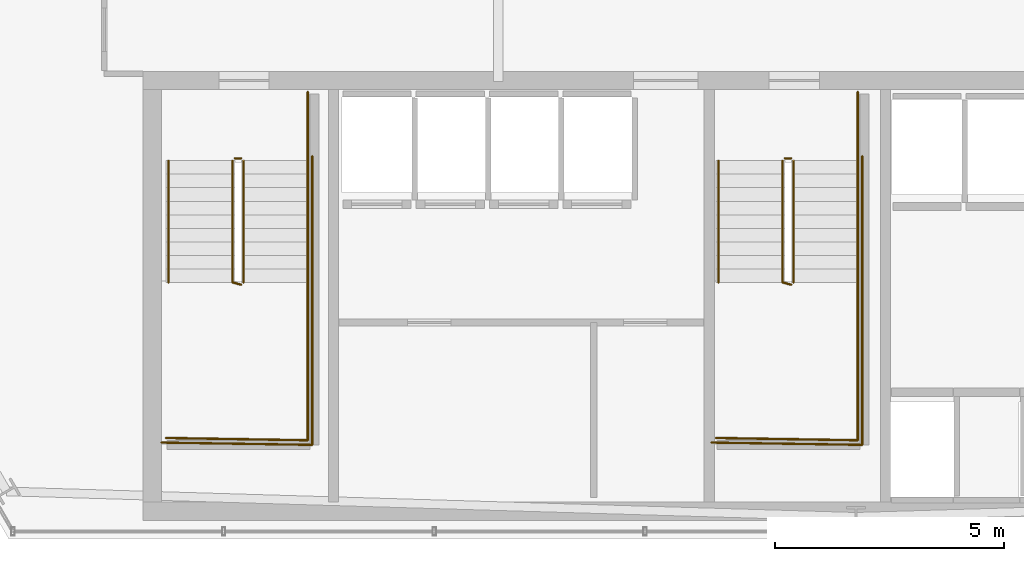
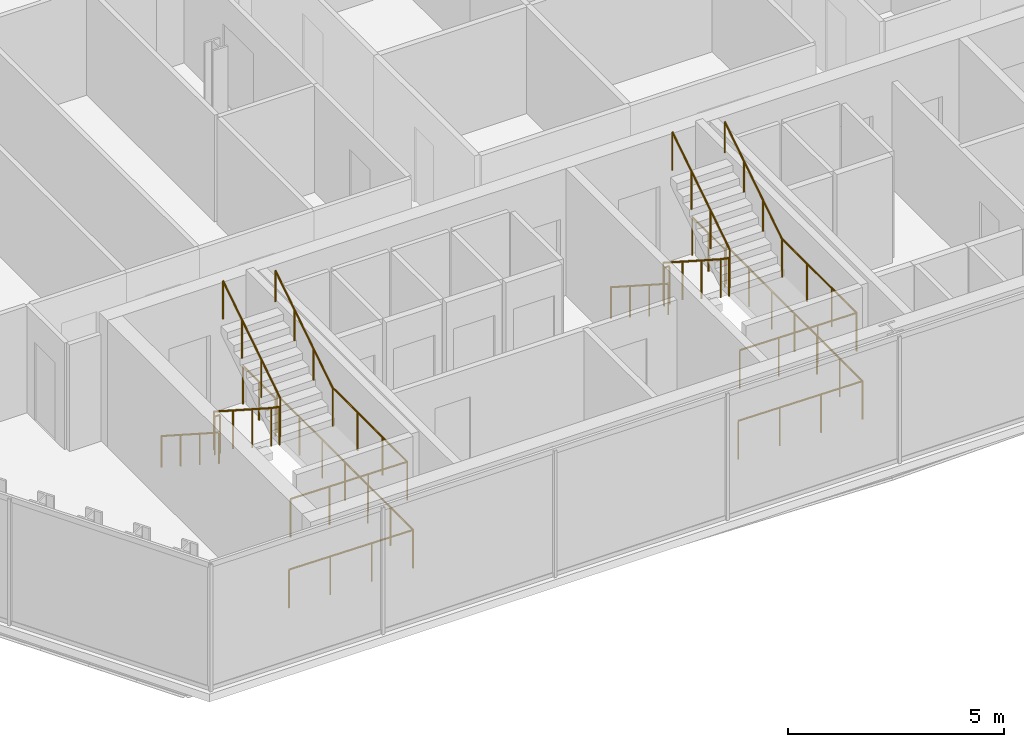
# One storey, part 31 of 33: 16 railings.
"""IFC4 building model written with IfcOpenShell, lengths in metres."""

from ifc_helpers import new_model, si_unit, direction, frame, origin, origin_2d, place, context, subcontext, project, spatial, circle, extrude, material, layer, layer_set, type_object, element, save


model = new_model("IFC4")

# Units and contexts
model_context = context("Model", 3, precision=1e-05, world=origin(), true_north=direction((0.0, 1.0)))
body_context = subcontext(model_context, "Body", "Model", "MODEL_VIEW")
ifc_project = project(units=[si_unit("LENGTHUNIT", "METRE"), si_unit("AREAUNIT", "SQUARE_METRE"), si_unit("VOLUMEUNIT", "CUBIC_METRE"), si_unit("PLANEANGLEUNIT", "RADIAN"), si_unit("MASSUNIT", "GRAM", prefix="KILO")], contexts=[model_context])

# Site, building, storey
site_placement = place(None, origin())
site = spatial("IfcSite", under=ifc_project, at=site_placement, CompositionType="ELEMENT")
building_placement = place(site_placement, origin())
building = spatial("IfcBuilding", under=site, at=building_placement, Name="Ndaravel Arena Tower", CompositionType="ELEMENT")
storey_placement = place(building_placement, frame((0.0, 0.0, 165.0)))
storey = spatial("IfcBuildingStorey", under=building, at=storey_placement, Name="L39", CompositionType="ELEMENT", Elevation=165.0)

# Railings
ifc_material_1 = material(Name="Steel S355", Category="steel")
ifc_layer_1 = layer(ifc_material_1, 0.06005859375)
ifc_layer_set_1 = layer_set([ifc_layer_1], Name="Steel S355")
railing_type_1 = type_object("IfcRailingType", Name="RAIL-STAIR-GD1100", PredefinedType="GUARDRAIL", material=ifc_layer_set_1)
railing_1_placement = place(storey_placement, frame((28.39990234375, 13.25, 0.18994140625)))
element("IfcRailing", 1, at=railing_1_placement, inside=storey, type_object=railing_type_1, Name="L39 ST-1 stair guard 1", PredefinedType="GUARDRAIL", context=body_context, shape_type="SweptSolid", body=[
    extrude(circle(Radius=0.02392578125, at=origin_2d()), frame((0.0, 0.0, 1.076171875), z_axis=(0.0, -0.840723540582, 0.54146461409), x_axis=(1.0, 0.0, 0.0)), (0.0, 0.0, 1.0), 3.157958984375),
    extrude(circle(Radius=0.02392578125, at=origin_2d()), frame((0.0, -2.655029296875, 2.7861328125), z_axis=(0.967074537263, -0.25449329928, 0.0), x_axis=(0.25449329928, 0.967074537263, 0.0)), (0.0, 0.0, 1.0), 0.19677734375),
    extrude(circle(Radius=0.02099609375, at=origin_2d()), origin(), (0.0, 0.0, 1.0), 1.052001953125),
    extrude(circle(Radius=0.02099609375, at=origin_2d()), frame((0.0, -0.885009765625, 0.570068359375)), (0.0, 0.0, 1.0), 1.052001953125),
    extrude(circle(Radius=0.02099609375, at=origin_2d()), frame((0.0, -1.77001953125, 1.139892578125)), (0.0, 0.0, 1.0), 1.052001953125),
    extrude(circle(Radius=0.02099609375, at=origin_2d()), frame((0.0, -2.655029296875, 1.7099609375)), (0.0, 0.0, 1.0), 1.052001953125),
    extrude(circle(Radius=0.02099609375, at=origin_2d()), frame((0.190185546875, -2.705078125, 1.7099609375)), (0.0, 0.0, 1.0), 1.052001953125),
])
railing_2_placement = place(storey_placement, frame((30.0400390625, 10.594970703125, 1.89990234375)))
element("IfcRailing", 2, at=railing_2_placement, inside=storey, type_object=railing_type_1, Name="L39 ST-1 stair guard 2", PredefinedType="GUARDRAIL", context=body_context, shape_type="SweptSolid", body=[
    extrude(circle(Radius=0.02392578125, at=origin_2d()), frame((0.0, 0.0, 1.076171875), z_axis=(0.0, -1.0, 0.0), x_axis=(1.0, 0.0, 0.0)), (0.0, 0.0, 1.0), 3.445068359375),
    extrude(circle(Radius=0.02392578125, at=origin_2d()), frame((0.0, -3.445068359375, 1.076171875), z_axis=(-0.999868861343, 0.016194447071, 0.0), x_axis=(-0.016194447071, -0.999868861343, 0.0)), (0.0, 0.0, 1.0), 3.090576171875),
    extrude(circle(Radius=0.02099609375, at=origin_2d()), origin(), (0.0, 0.0, 1.0), 1.052001953125),
    extrude(circle(Radius=0.02099609375, at=origin_2d()), frame((0.0, -1.1484375, 0.0)), (0.0, 0.0, 1.0), 1.052001953125),
    extrude(circle(Radius=0.02099609375, at=origin_2d()), frame((0.0, -2.296630859375, 0.0)), (0.0, 0.0, 1.0), 1.052001953125),
    extrude(circle(Radius=0.02099609375, at=origin_2d()), frame((0.0, -3.445068359375, 0.0)), (0.0, 0.0, 1.0), 1.052001953125),
    extrude(circle(Radius=0.02099609375, at=origin_2d()), frame((-1.030029296875, -3.428466796875, 0.0)), (0.0, 0.0, 1.0), 1.052001953125),
    extrude(circle(Radius=0.02099609375, at=origin_2d()), frame((-2.06005859375, -3.41162109375, 0.0)), (0.0, 0.0, 1.0), 1.052001953125),
    extrude(circle(Radius=0.02099609375, at=origin_2d()), frame((-3.090087890625, -3.39501953125, 0.0)), (0.0, 0.0, 1.0), 1.052001953125),
])
railing_3_placement = place(storey_placement, frame((28.639892578125, 10.594970703125, 2.090087890625)))
element("IfcRailing", 3, at=railing_3_placement, inside=storey, type_object=railing_type_1, Name="L39 ST-1 stair guard 3", PredefinedType="GUARDRAIL", context=body_context, shape_type="SweptSolid", body=[
    extrude(circle(Radius=0.02392578125, at=origin_2d()), frame((0.0, 0.0, 1.076171875), z_axis=(0.0, 0.840723540582, 0.54146461409), x_axis=(-1.0, 0.0, 0.0)), (0.0, 0.0, 1.0), 3.157958984375),
    extrude(circle(Radius=0.02099609375, at=origin_2d()), origin(), (0.0, 0.0, 1.0), 1.052001953125),
    extrude(circle(Radius=0.02099609375, at=origin_2d()), frame((0.0, 0.885009765625, 0.570068359375)), (0.0, 0.0, 1.0), 1.052001953125),
    extrude(circle(Radius=0.02099609375, at=origin_2d()), frame((0.0, 1.77001953125, 1.139892578125)), (0.0, 0.0, 1.0), 1.052001953125),
    extrude(circle(Radius=0.02099609375, at=origin_2d()), frame((0.0, 2.655029296875, 1.7099609375)), (0.0, 0.0, 1.0), 1.052001953125),
])
railing_4_placement = place(storey_placement, frame((28.449951171875, 13.300048828125, 0.0)))
element("IfcRailing", 4, at=railing_4_placement, inside=storey, type_object=railing_type_1, Name="L39 ST-1 stair guard 4", PredefinedType="GUARDRAIL", context=body_context, shape_type="SweptSolid", body=[
    extrude(circle(Radius=0.02392578125, at=origin_2d()), frame((0.0, 0.0, 1.076171875), z_axis=(1.0, 0.0, 0.0), x_axis=(0.0, 1.0, 0.0)), (0.0, 0.0, 1.0), 0.14013671875),
    extrude(circle(Radius=0.02099609375, at=origin_2d()), origin(), (0.0, 0.0, 1.0), 1.052001953125),
    extrude(circle(Radius=0.02099609375, at=origin_2d()), frame((0.14013671875, 0.0, 0.0)), (0.0, 0.0, 1.0), 1.052001953125),
])
railing_5_placement = place(storey_placement, frame((30.0400390625, 14.75, 0.0)))
element("IfcRailing", 5, at=railing_5_placement, inside=storey, type_object=railing_type_1, Name="L39 ST-1 stair guard 5", PredefinedType="GUARDRAIL", context=body_context, shape_type="SweptSolid", body=[
    extrude(circle(Radius=0.02392578125, at=origin_2d()), frame((0.0, 0.0, 1.076171875), z_axis=(0.0, -1.0, 0.0), x_axis=(1.0, 0.0, 0.0)), (0.0, 0.0, 1.0), 1.5),
    extrude(circle(Radius=0.02099609375, at=origin_2d()), origin(), (0.0, 0.0, 1.0), 1.052001953125),
    extrude(circle(Radius=0.02099609375, at=origin_2d()), frame((0.0, -0.75, 0.0)), (0.0, 0.0, 1.0), 1.052001953125),
    extrude(circle(Radius=0.02099609375, at=origin_2d()), frame((0.0, -1.5, 0.0)), (0.0, 0.0, 1.0), 1.052001953125),
])
railing_6_placement = place(storey_placement, frame((30.139892578125, 13.35009765625, 0.0)))
element("IfcRailing", 6, at=railing_6_placement, inside=storey, type_object=railing_type_1, Name="L39 ST-1 stair guard 6", PredefinedType="GUARDRAIL", context=body_context, shape_type="SweptSolid", body=[
    extrude(circle(Radius=0.02392578125, at=origin_2d()), frame((0.0, 0.0, 1.076171875), z_axis=(0.0, -1.0, 0.0), x_axis=(1.0, 0.0, 0.0)), (0.0, 0.0, 1.0), 6.300048828125),
    extrude(circle(Radius=0.02392578125, at=origin_2d()), frame((0.0, -6.300048828125, 1.076171875), z_axis=(-0.999884296952, 0.015211597839, 0.0), x_axis=(-0.015211597839, -0.999884296952, 0.0)), (0.0, 0.0, 1.0), 3.290283203125),
    extrude(circle(Radius=0.02099609375, at=origin_2d()), origin(), (0.0, 0.0, 1.0), 1.052001953125),
    extrude(circle(Radius=0.02099609375, at=origin_2d()), frame((0.0, -1.050048828125, 0.0)), (0.0, 0.0, 1.0), 1.052001953125),
    extrude(circle(Radius=0.02099609375, at=origin_2d()), frame((0.0, -2.10009765625, 0.0)), (0.0, 0.0, 1.0), 1.052001953125),
    extrude(circle(Radius=0.02099609375, at=origin_2d()), frame((0.0, -3.14990234375, 0.0)), (0.0, 0.0, 1.0), 1.052001953125),
    extrude(circle(Radius=0.02099609375, at=origin_2d()), frame((0.0, -4.199951171875, 0.0)), (0.0, 0.0, 1.0), 1.052001953125),
    extrude(circle(Radius=0.02099609375, at=origin_2d()), frame((0.0, -5.25, 0.0)), (0.0, 0.0, 1.0), 1.052001953125),
    extrude(circle(Radius=0.02099609375, at=origin_2d()), frame((0.0, -6.300048828125, 0.0)), (0.0, 0.0, 1.0), 1.052001953125),
    extrude(circle(Radius=0.02099609375, at=origin_2d()), frame((-1.0966796875, -6.283447265625, 0.0)), (0.0, 0.0, 1.0), 1.052001953125),
    extrude(circle(Radius=0.02099609375, at=origin_2d()), frame((-2.193115234375, -6.2666015625, 0.0)), (0.0, 0.0, 1.0), 1.052001953125),
    extrude(circle(Radius=0.02099609375, at=origin_2d()), frame((-3.289794921875, -6.25, 0.0)), (0.0, 0.0, 1.0), 1.052001953125),
])
railing_7_placement = place(storey_placement, frame((40.39990234375, 13.25, 0.18994140625)))
element("IfcRailing", 7, at=railing_7_placement, inside=storey, type_object=railing_type_1, Name="L39 ST-2 stair guard 1", PredefinedType="GUARDRAIL", context=body_context, shape_type="SweptSolid", body=[
    extrude(circle(Radius=0.02392578125, at=origin_2d()), frame((0.0, 0.0, 1.076171875), z_axis=(0.0, -0.840723540582, 0.54146461409), x_axis=(1.0, 0.0, 0.0)), (0.0, 0.0, 1.0), 3.157958984375),
    extrude(circle(Radius=0.02392578125, at=origin_2d()), frame((0.0, -2.655029296875, 2.7861328125), z_axis=(0.967074537263, -0.25449329928, 0.0), x_axis=(0.25449329928, 0.967074537263, 0.0)), (0.0, 0.0, 1.0), 0.19677734375),
    extrude(circle(Radius=0.02099609375, at=origin_2d()), origin(), (0.0, 0.0, 1.0), 1.052001953125),
    extrude(circle(Radius=0.02099609375, at=origin_2d()), frame((0.0, -0.885009765625, 0.570068359375)), (0.0, 0.0, 1.0), 1.052001953125),
    extrude(circle(Radius=0.02099609375, at=origin_2d()), frame((0.0, -1.77001953125, 1.139892578125)), (0.0, 0.0, 1.0), 1.052001953125),
    extrude(circle(Radius=0.02099609375, at=origin_2d()), frame((0.0, -2.655029296875, 1.7099609375)), (0.0, 0.0, 1.0), 1.052001953125),
    extrude(circle(Radius=0.02099609375, at=origin_2d()), frame((0.190185546875, -2.705078125, 1.7099609375)), (0.0, 0.0, 1.0), 1.052001953125),
])
railing_8_placement = place(storey_placement, frame((42.0400390625, 10.594970703125, 1.89990234375)))
element("IfcRailing", 8, at=railing_8_placement, inside=storey, type_object=railing_type_1, Name="L39 ST-2 stair guard 2", PredefinedType="GUARDRAIL", context=body_context, shape_type="SweptSolid", body=[
    extrude(circle(Radius=0.02392578125, at=origin_2d()), frame((0.0, 0.0, 1.076171875), z_axis=(0.0, -1.0, 0.0), x_axis=(1.0, 0.0, 0.0)), (0.0, 0.0, 1.0), 3.445068359375),
    extrude(circle(Radius=0.02392578125, at=origin_2d()), frame((0.0, -3.445068359375, 1.076171875), z_axis=(-0.999868861343, 0.016194447071, 0.0), x_axis=(-0.016194447071, -0.999868861343, 0.0)), (0.0, 0.0, 1.0), 3.090576171875),
    extrude(circle(Radius=0.02099609375, at=origin_2d()), origin(), (0.0, 0.0, 1.0), 1.052001953125),
    extrude(circle(Radius=0.02099609375, at=origin_2d()), frame((0.0, -1.1484375, 0.0)), (0.0, 0.0, 1.0), 1.052001953125),
    extrude(circle(Radius=0.02099609375, at=origin_2d()), frame((0.0, -2.296630859375, 0.0)), (0.0, 0.0, 1.0), 1.052001953125),
    extrude(circle(Radius=0.02099609375, at=origin_2d()), frame((0.0, -3.445068359375, 0.0)), (0.0, 0.0, 1.0), 1.052001953125),
    extrude(circle(Radius=0.02099609375, at=origin_2d()), frame((-1.030029296875, -3.428466796875, 0.0)), (0.0, 0.0, 1.0), 1.052001953125),
    extrude(circle(Radius=0.02099609375, at=origin_2d()), frame((-2.06005859375, -3.41162109375, 0.0)), (0.0, 0.0, 1.0), 1.052001953125),
    extrude(circle(Radius=0.02099609375, at=origin_2d()), frame((-3.090087890625, -3.39501953125, 0.0)), (0.0, 0.0, 1.0), 1.052001953125),
])
railing_9_placement = place(storey_placement, frame((40.639892578125, 10.594970703125, 2.090087890625)))
element("IfcRailing", 9, at=railing_9_placement, inside=storey, type_object=railing_type_1, Name="L39 ST-2 stair guard 3", PredefinedType="GUARDRAIL", context=body_context, shape_type="SweptSolid", body=[
    extrude(circle(Radius=0.02392578125, at=origin_2d()), frame((0.0, 0.0, 1.076171875), z_axis=(0.0, 0.840723540582, 0.54146461409), x_axis=(-1.0, 0.0, 0.0)), (0.0, 0.0, 1.0), 3.157958984375),
    extrude(circle(Radius=0.02099609375, at=origin_2d()), origin(), (0.0, 0.0, 1.0), 1.052001953125),
    extrude(circle(Radius=0.02099609375, at=origin_2d()), frame((0.0, 0.885009765625, 0.570068359375)), (0.0, 0.0, 1.0), 1.052001953125),
    extrude(circle(Radius=0.02099609375, at=origin_2d()), frame((0.0, 1.77001953125, 1.139892578125)), (0.0, 0.0, 1.0), 1.052001953125),
    extrude(circle(Radius=0.02099609375, at=origin_2d()), frame((0.0, 2.655029296875, 1.7099609375)), (0.0, 0.0, 1.0), 1.052001953125),
])
railing_10_placement = place(storey_placement, frame((40.449951171875, 13.300048828125, 0.0)))
element("IfcRailing", 10, at=railing_10_placement, inside=storey, type_object=railing_type_1, Name="L39 ST-2 stair guard 4", PredefinedType="GUARDRAIL", context=body_context, shape_type="SweptSolid", body=[
    extrude(circle(Radius=0.02392578125, at=origin_2d()), frame((0.0, 0.0, 1.076171875), z_axis=(1.0, 0.0, 0.0), x_axis=(0.0, 1.0, 0.0)), (0.0, 0.0, 1.0), 0.14013671875),
    extrude(circle(Radius=0.02099609375, at=origin_2d()), origin(), (0.0, 0.0, 1.0), 1.052001953125),
    extrude(circle(Radius=0.02099609375, at=origin_2d()), frame((0.14013671875, 0.0, 0.0)), (0.0, 0.0, 1.0), 1.052001953125),
])
railing_11_placement = place(storey_placement, frame((42.0400390625, 14.75, 0.0)))
element("IfcRailing", 11, at=railing_11_placement, inside=storey, type_object=railing_type_1, Name="L39 ST-2 stair guard 5", PredefinedType="GUARDRAIL", context=body_context, shape_type="SweptSolid", body=[
    extrude(circle(Radius=0.02392578125, at=origin_2d()), frame((0.0, 0.0, 1.076171875), z_axis=(0.0, -1.0, 0.0), x_axis=(1.0, 0.0, 0.0)), (0.0, 0.0, 1.0), 1.5),
    extrude(circle(Radius=0.02099609375, at=origin_2d()), origin(), (0.0, 0.0, 1.0), 1.052001953125),
    extrude(circle(Radius=0.02099609375, at=origin_2d()), frame((0.0, -0.75, 0.0)), (0.0, 0.0, 1.0), 1.052001953125),
    extrude(circle(Radius=0.02099609375, at=origin_2d()), frame((0.0, -1.5, 0.0)), (0.0, 0.0, 1.0), 1.052001953125),
])
railing_12_placement = place(storey_placement, frame((42.139892578125, 13.35009765625, 0.0)))
element("IfcRailing", 12, at=railing_12_placement, inside=storey, type_object=railing_type_1, Name="L39 ST-2 stair guard 6", PredefinedType="GUARDRAIL", context=body_context, shape_type="SweptSolid", body=[
    extrude(circle(Radius=0.02392578125, at=origin_2d()), frame((0.0, 0.0, 1.076171875), z_axis=(0.0, -1.0, 0.0), x_axis=(1.0, 0.0, 0.0)), (0.0, 0.0, 1.0), 6.300048828125),
    extrude(circle(Radius=0.02392578125, at=origin_2d()), frame((0.0, -6.300048828125, 1.076171875), z_axis=(-0.999884296952, 0.015211597839, 0.0), x_axis=(-0.015211597839, -0.999884296952, 0.0)), (0.0, 0.0, 1.0), 3.290283203125),
    extrude(circle(Radius=0.02099609375, at=origin_2d()), origin(), (0.0, 0.0, 1.0), 1.052001953125),
    extrude(circle(Radius=0.02099609375, at=origin_2d()), frame((0.0, -1.050048828125, 0.0)), (0.0, 0.0, 1.0), 1.052001953125),
    extrude(circle(Radius=0.02099609375, at=origin_2d()), frame((0.0, -2.10009765625, 0.0)), (0.0, 0.0, 1.0), 1.052001953125),
    extrude(circle(Radius=0.02099609375, at=origin_2d()), frame((0.0, -3.14990234375, 0.0)), (0.0, 0.0, 1.0), 1.052001953125),
    extrude(circle(Radius=0.02099609375, at=origin_2d()), frame((0.0, -4.199951171875, 0.0)), (0.0, 0.0, 1.0), 1.052001953125),
    extrude(circle(Radius=0.02099609375, at=origin_2d()), frame((0.0, -5.25, 0.0)), (0.0, 0.0, 1.0), 1.052001953125),
    extrude(circle(Radius=0.02099609375, at=origin_2d()), frame((0.0, -6.300048828125, 0.0)), (0.0, 0.0, 1.0), 1.052001953125),
    extrude(circle(Radius=0.02099609375, at=origin_2d()), frame((-1.0966796875, -6.283447265625, 0.0)), (0.0, 0.0, 1.0), 1.052001953125),
    extrude(circle(Radius=0.02099609375, at=origin_2d()), frame((-2.193115234375, -6.2666015625, 0.0)), (0.0, 0.0, 1.0), 1.052001953125),
    extrude(circle(Radius=0.02099609375, at=origin_2d()), frame((-3.289794921875, -6.25, 0.0)), (0.0, 0.0, 1.0), 1.052001953125),
])
ifc_material_2 = material(Name="Steel S355", Category="steel")
ifc_layer_2 = layer(ifc_material_2, 0.050048828125)
ifc_layer_set_2 = layer_set([ifc_layer_2], Name="Steel S355")
railing_type_2 = type_object("IfcRailingType", Name="RAIL-STAIR-HR920", PredefinedType="HANDRAIL", material=ifc_layer_set_2)
railing_13_placement = place(storey_placement, frame((27.0, 13.25, 0.18994140625)))
element("IfcRailing", 13, at=railing_13_placement, inside=storey, type_object=railing_type_2, Name="L39 ST-1 stair handrail 1", PredefinedType="HANDRAIL", context=body_context, shape_type="SweptSolid", body=[
    extrude(circle(Radius=0.02392578125, at=origin_2d()), frame((0.0, 0.0, 0.8759765625), z_axis=(0.0, -0.840723540582, 0.54146461409), x_axis=(1.0, 0.0, 0.0)), (0.0, 0.0, 1.0), 3.157958984375),
    extrude(circle(Radius=0.02099609375, at=origin_2d()), origin(), (0.0, 0.0, 1.0), 0.851806640625),
    extrude(circle(Radius=0.02099609375, at=origin_2d()), frame((0.0, -0.885009765625, 0.570068359375)), (0.0, 0.0, 1.0), 0.851806640625),
    extrude(circle(Radius=0.02099609375, at=origin_2d()), frame((0.0, -1.77001953125, 1.139892578125)), (0.0, 0.0, 1.0), 0.851806640625),
    extrude(circle(Radius=0.02099609375, at=origin_2d()), frame((0.0, -2.655029296875, 1.7099609375)), (0.0, 0.0, 1.0), 0.851806640625),
])
railing_14_placement = place(storey_placement, frame((30.0400390625, 10.594970703125, 2.090087890625)))
element("IfcRailing", 14, at=railing_14_placement, inside=storey, type_object=railing_type_2, Name="L39 ST-1 stair handrail 2", PredefinedType="HANDRAIL", context=body_context, shape_type="SweptSolid", body=[
    extrude(circle(Radius=0.02392578125, at=origin_2d()), frame((0.0, 0.0, 0.8759765625), z_axis=(0.0, 0.840723540582, 0.54146461409), x_axis=(-1.0, 0.0, 0.0)), (0.0, 0.0, 1.0), 3.157958984375),
    extrude(circle(Radius=0.02099609375, at=origin_2d()), origin(), (0.0, 0.0, 1.0), 0.851806640625),
    extrude(circle(Radius=0.02099609375, at=origin_2d()), frame((0.0, 0.885009765625, 0.570068359375)), (0.0, 0.0, 1.0), 0.851806640625),
    extrude(circle(Radius=0.02099609375, at=origin_2d()), frame((0.0, 1.77001953125, 1.139892578125)), (0.0, 0.0, 1.0), 0.851806640625),
    extrude(circle(Radius=0.02099609375, at=origin_2d()), frame((0.0, 2.655029296875, 1.7099609375)), (0.0, 0.0, 1.0), 0.851806640625),
])
railing_15_placement = place(storey_placement, frame((39.0, 13.25, 0.18994140625)))
element("IfcRailing", 15, at=railing_15_placement, inside=storey, type_object=railing_type_2, Name="L39 ST-2 stair handrail 1", PredefinedType="HANDRAIL", context=body_context, shape_type="SweptSolid", body=[
    extrude(circle(Radius=0.02392578125, at=origin_2d()), frame((0.0, 0.0, 0.8759765625), z_axis=(0.0, -0.840723540582, 0.54146461409), x_axis=(1.0, 0.0, 0.0)), (0.0, 0.0, 1.0), 3.157958984375),
    extrude(circle(Radius=0.02099609375, at=origin_2d()), origin(), (0.0, 0.0, 1.0), 0.851806640625),
    extrude(circle(Radius=0.02099609375, at=origin_2d()), frame((0.0, -0.885009765625, 0.570068359375)), (0.0, 0.0, 1.0), 0.851806640625),
    extrude(circle(Radius=0.02099609375, at=origin_2d()), frame((0.0, -1.77001953125, 1.139892578125)), (0.0, 0.0, 1.0), 0.851806640625),
    extrude(circle(Radius=0.02099609375, at=origin_2d()), frame((0.0, -2.655029296875, 1.7099609375)), (0.0, 0.0, 1.0), 0.851806640625),
])
railing_16_placement = place(storey_placement, frame((42.0400390625, 10.594970703125, 2.090087890625)))
element("IfcRailing", 16, at=railing_16_placement, inside=storey, type_object=railing_type_2, Name="L39 ST-2 stair handrail 2", PredefinedType="HANDRAIL", context=body_context, shape_type="SweptSolid", body=[
    extrude(circle(Radius=0.02392578125, at=origin_2d()), frame((0.0, 0.0, 0.8759765625), z_axis=(0.0, 0.840723540582, 0.54146461409), x_axis=(-1.0, 0.0, 0.0)), (0.0, 0.0, 1.0), 3.157958984375),
    extrude(circle(Radius=0.02099609375, at=origin_2d()), origin(), (0.0, 0.0, 1.0), 0.851806640625),
    extrude(circle(Radius=0.02099609375, at=origin_2d()), frame((0.0, 0.885009765625, 0.570068359375)), (0.0, 0.0, 1.0), 0.851806640625),
    extrude(circle(Radius=0.02099609375, at=origin_2d()), frame((0.0, 1.77001953125, 1.139892578125)), (0.0, 0.0, 1.0), 0.851806640625),
    extrude(circle(Radius=0.02099609375, at=origin_2d()), frame((0.0, 2.655029296875, 1.7099609375)), (0.0, 0.0, 1.0), 0.851806640625),
])

save(model, "model.ifc")
